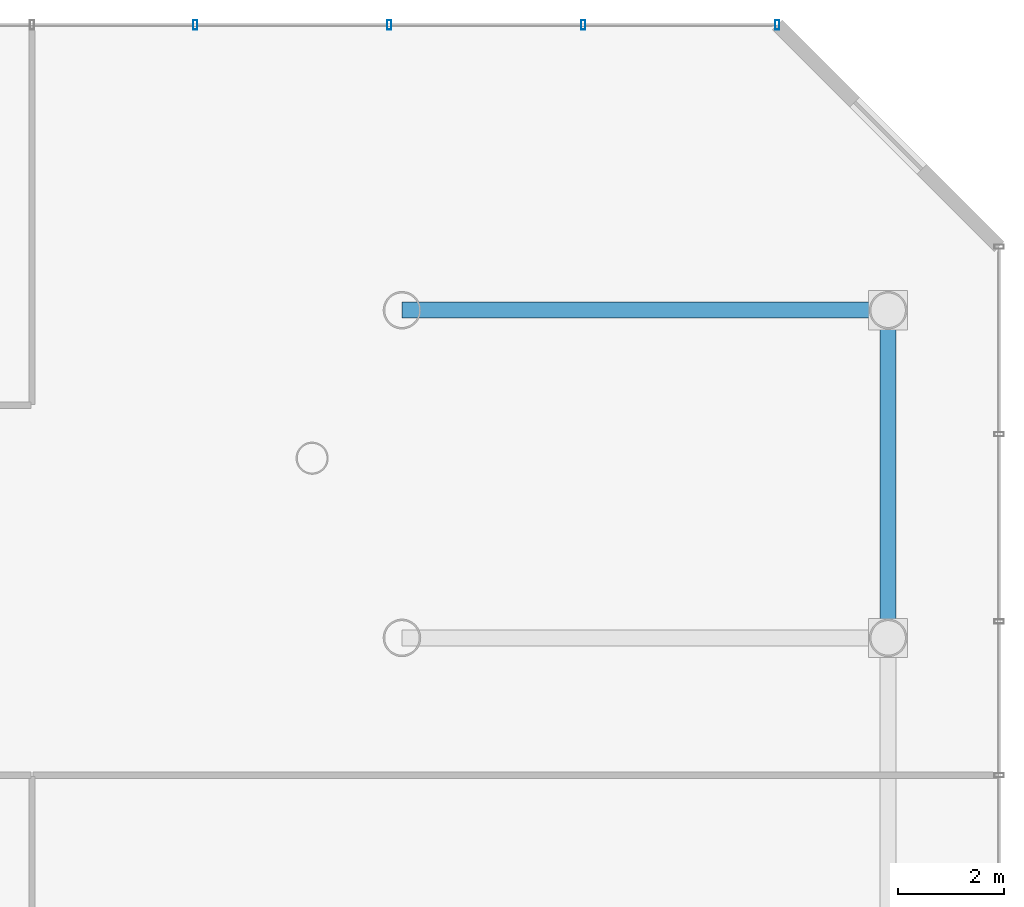
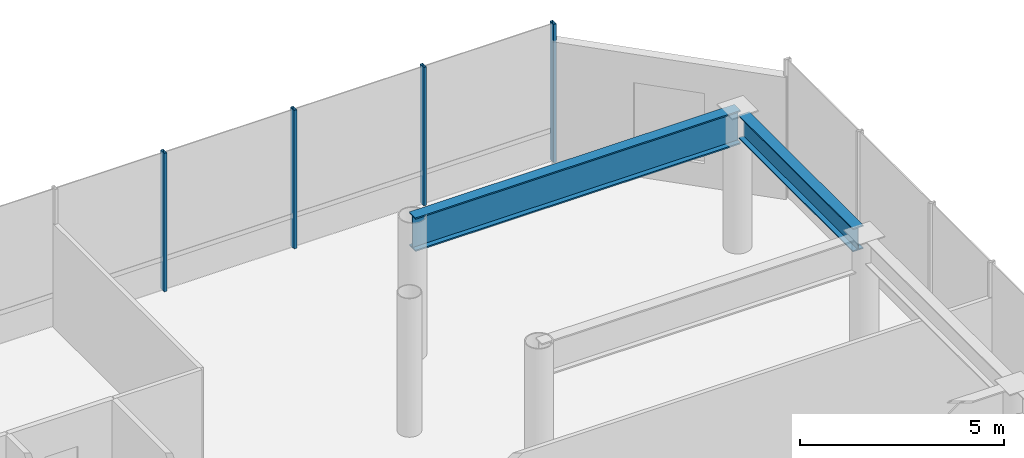
# One storey, part 34 of 43: 4 members, 2 beams, 1 element without a shape of its own.
"""IFC4 building model written with IfcOpenShell, lengths in metres."""

from ifc_helpers import new_model, si_unit, direction, frame, origin, origin_2d, place, context, subcontext, project, spatial, hollow_rectangle, i_section, extrude, material, layer, layer_set, material_profile, profile_set, type_object, element, aggregate, save


model = new_model("IFC4")

# Units and contexts
model_context = context("Model", 3, precision=1e-05, world=origin(), true_north=direction((0.0, 1.0)))
body_context = subcontext(model_context, "Body", "Model", "MODEL_VIEW")
ifc_project = project(units=[si_unit("LENGTHUNIT", "METRE"), si_unit("AREAUNIT", "SQUARE_METRE"), si_unit("VOLUMEUNIT", "CUBIC_METRE"), si_unit("PLANEANGLEUNIT", "RADIAN"), si_unit("MASSUNIT", "GRAM", prefix="KILO")], contexts=[model_context])

# Site, building, storey
site_placement = place(None, origin())
site = spatial("IfcSite", under=ifc_project, at=site_placement, CompositionType="ELEMENT")
building_placement = place(site_placement, origin())
building = spatial("IfcBuilding", under=site, at=building_placement, Name="Zarrinselat Tower", CompositionType="ELEMENT")
storey_placement = place(building_placement, frame((0.0, 0.0, 5.10009765625)))
storey = spatial("IfcBuildingStorey", under=building, at=storey_placement, Name="L01", CompositionType="ELEMENT", Elevation=5.10009765625)

# Beams
ifc_material_1 = material(Name="Steel S355J2", Category="steel")
ifc_material_profile_1 = material_profile(ifc_material_1, i_section(OverallWidth=0.300048828125, OverallDepth=0.699951171875, WebThickness=0.01708984375, FlangeThickness=0.031982421875, at=origin_2d()), Name="HEB 700")
ifc_profile_set_1 = profile_set([ifc_material_profile_1], Name="Steel S355J2")
beam_type_1 = type_object("IfcBeamType", Name="BM-HEB700", PredefinedType="SPANDREL", material=ifc_profile_set_1)
beam_1_placement = place(storey_placement, frame((77.199951171875, 40.89990234375, 3.789794921875), z_axis=(0.0, 1.0, 0.0), x_axis=(-1.0, 0.0, 0.0)))
element("IfcBeam", 1, at=beam_1_placement, inside=storey, type_object=beam_type_1, Name="L01 Podium Perimeter Beam E-40", PredefinedType="SPANDREL", context=body_context, shape_type="SweptSolid", body=[
    extrude(i_section(OverallWidth=0.300048828125, OverallDepth=0.699951171875, WebThickness=0.01708984375, FlangeThickness=0.031982421875, at=origin_2d()), origin(), (0.0, 0.0, 1.0), 5.60009765625),
])
ifc_material_2 = material(Name="Steel S460M", Category="steel")
ifc_material_profile_2 = material_profile(ifc_material_2, i_section(OverallWidth=0.302001953125, OverallDepth=1.008056640625, WebThickness=0.02099609375, FlangeThickness=0.0400390625, at=origin_2d()), Name="HEM 1000")
ifc_profile_set_2 = profile_set([ifc_material_profile_2], Name="Steel S460M")
beam_type_2 = type_object("IfcBeamType", Name="BM-PDTR-HEM1000", PredefinedType="BEAM", material=ifc_profile_set_2)
beam_2_placement = place(storey_placement, frame((68.0, 46.800048828125, 3.635986328125), z_axis=(1.0, 0.0, 0.0), x_axis=(0.0, 1.0, 0.0)))
element("IfcBeam", 2, at=beam_2_placement, inside=storey, type_object=beam_type_2, Name="L01 Podium Transfer Girder E-46", PredefinedType="BEAM", context=body_context, shape_type="SweptSolid", body=[
    extrude(i_section(OverallWidth=0.302001953125, OverallDepth=1.008056640625, WebThickness=0.02099609375, FlangeThickness=0.0400390625, at=origin_2d()), origin(), (0.0, 0.0, 1.0), 9.199951171875),
])

# Curtain wall, members
ifc_material_3 = material(Name="Extruded Aluminium Alloy EN AW-6063 T6", Category="aluminium")
ifc_layer = layer(ifc_material_3, 0.2099609375)
ifc_layer_set = layer_set([ifc_layer], Name="Extruded Aluminium Alloy EN AW-6063 T6")
curtain_wall_type = type_object("IfcCurtainWallType", Name="CWS-POD", PredefinedType="NOTDEFINED", material=ifc_layer_set)
curtain_wall_placement = place(storey_placement, origin())
curtain_wall = element("IfcCurtainWall", 3, at=curtain_wall_placement, inside=storey, type_object=curtain_wall_type, Name="L01 Unitised Curtain Wall CW-L01-F5", PredefinedType="NOTDEFINED")
ifc_material_4 = material(Name="Extruded Aluminium Alloy EN AW-6063 T6", Category="aluminium")
ifc_material_profile_3 = material_profile(ifc_material_4, hollow_rectangle(XDim=0.080078125, YDim=0.179931640625, WallThickness=0.0048828125, at=origin_2d()), Name="RHS 180x80x5")
ifc_profile_set_3 = profile_set([ifc_material_profile_3], Name="Extruded Aluminium Alloy EN AW-6063 T6")
member_type = type_object("IfcMemberType", Name="MEM-CW-MUL", PredefinedType="MULLION", material=ifc_profile_set_3)
member_1_placement = place(storey_placement, frame((75.10009765625, 52.199951171875, 0.0), z_axis=(0.0, 0.0, 1.0), x_axis=(-1.0, 0.0, 0.0)))
member_1 = element("IfcMember", 4, at=member_1_placement, type_object=member_type, Name="CW-L01-F5 Mullion 0", PredefinedType="MULLION", context=body_context, shape_type="SweptSolid", body=[
    extrude(hollow_rectangle(XDim=0.080078125, YDim=0.179931640625, WallThickness=0.0048828125, at=origin_2d()), origin(), (0.0, 0.0, 1.0), 4.139892578125),
])
member_2_placement = place(storey_placement, frame((71.429931640625, 52.199951171875, 0.0), z_axis=(0.0, 0.0, 1.0), x_axis=(-1.0, 0.0, 0.0)))
member_2 = element("IfcMember", 5, at=member_2_placement, type_object=member_type, Name="CW-L01-F5 Mullion 1", PredefinedType="MULLION", context=body_context, shape_type="SweptSolid", body=[
    extrude(hollow_rectangle(XDim=0.080078125, YDim=0.179931640625, WallThickness=0.0048828125, at=origin_2d()), origin(), (0.0, 0.0, 1.0), 4.139892578125),
])
member_3_placement = place(storey_placement, frame((67.760009765625, 52.199951171875, 0.0), z_axis=(0.0, 0.0, 1.0), x_axis=(-1.0, 0.0, 0.0)))
member_3 = element("IfcMember", 6, at=member_3_placement, type_object=member_type, Name="CW-L01-F5 Mullion 2", PredefinedType="MULLION", context=body_context, shape_type="SweptSolid", body=[
    extrude(hollow_rectangle(XDim=0.080078125, YDim=0.179931640625, WallThickness=0.0048828125, at=origin_2d()), origin(), (0.0, 0.0, 1.0), 4.139892578125),
])
member_4_placement = place(storey_placement, frame((64.090087890625, 52.199951171875, 0.0), z_axis=(0.0, 0.0, 1.0), x_axis=(-1.0, 0.0, 0.0)))
member_4 = element("IfcMember", 7, at=member_4_placement, type_object=member_type, Name="CW-L01-F5 Mullion 3", PredefinedType="MULLION", context=body_context, shape_type="SweptSolid", body=[
    extrude(hollow_rectangle(XDim=0.080078125, YDim=0.179931640625, WallThickness=0.0048828125, at=origin_2d()), origin(), (0.0, 0.0, 1.0), 4.139892578125),
])
aggregate(curtain_wall, [member_1, member_2, member_3, member_4])

save(model, "model.ifc")
